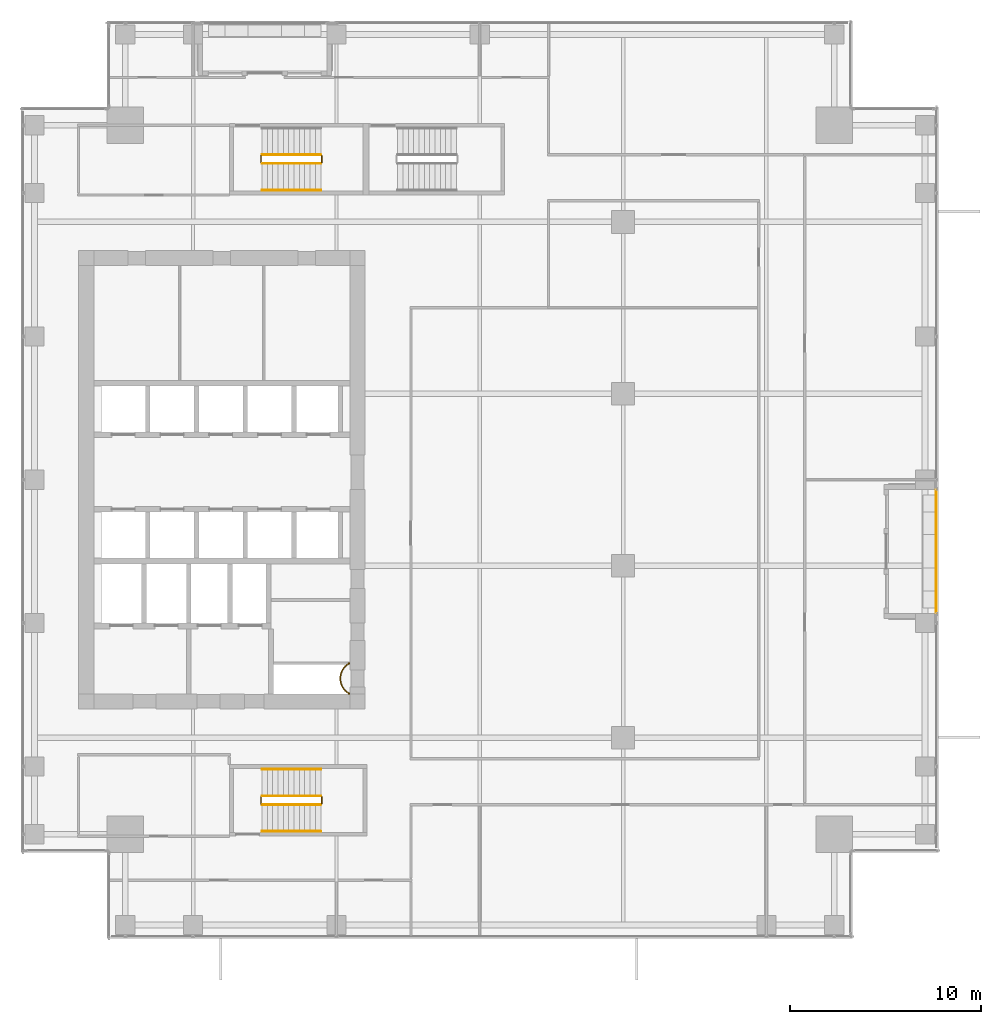
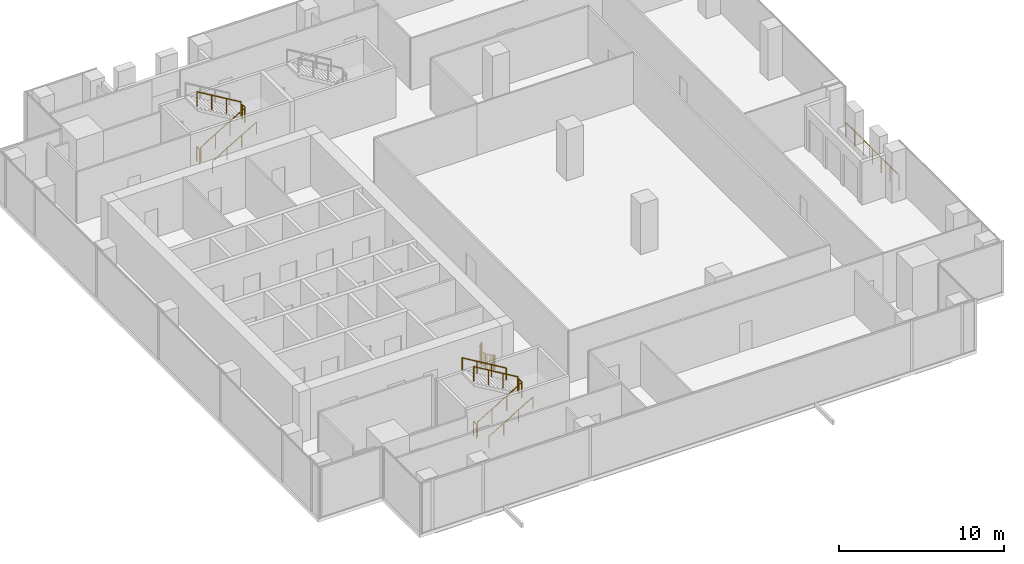
# One storey, part 38 of 40: 13 railings.
"""IFC4 building model written with IfcOpenShell, lengths in metres."""

from ifc_helpers import new_model, si_unit, direction, frame, origin, origin_2d, place, context, subcontext, project, spatial, circle, extrude, source, transform, mapped, material, type_object, element, save


model = new_model("IFC4")

# Units and contexts
model_context = context("Model", 3, precision=1e-05, world=origin(), true_north=direction((0.0, 1.0)))
body_context = subcontext(model_context, "Body", "Model", "MODEL_VIEW")
ifc_project = project(units=[si_unit("LENGTHUNIT", "METRE"), si_unit("AREAUNIT", "SQUARE_METRE"), si_unit("VOLUMEUNIT", "CUBIC_METRE"), si_unit("PLANEANGLEUNIT", "RADIAN"), si_unit("MASSUNIT", "GRAM", prefix="KILO")], contexts=[model_context])

# Site, building, storey
site_placement = place(None, origin())
site = spatial("IfcSite", under=ifc_project, at=site_placement, CompositionType="ELEMENT")
building_placement = place(site_placement, origin())
building = spatial("IfcBuilding", under=site, at=building_placement, Name="Khomas Fold Tower", CompositionType="ELEMENT")
storey_placement = place(building_placement, frame((0.0, 0.0, 204.699951171875)))
storey = spatial("IfcBuildingStorey", under=building, at=storey_placement, Name="L45", CompositionType="ELEMENT", Elevation=204.699951171875)

# Railings
ifc_material_1 = material(Name="Powder-coated steel", Category="steel")
railing_type_1 = type_object("IfcRailingType", Name="Balcony guard", PredefinedType="GUARDRAIL", material=ifc_material_1)
shared_shape_1 = source(origin(), body_context, "Body", "SweptSolid", [
    extrude(circle(Radius=0.02490234375, at=origin_2d()), frame((0.0, 0.0, 1.125), z_axis=(0.0, 1.0, 0.0), x_axis=(-1.0, 0.0, 0.0)), (0.0, 0.0, 1.0), 6.43994140625),
    extrude(circle(Radius=0.02001953125, at=origin_2d()), origin(), (0.0, 0.0, 1.0), 1.099853515625),
    extrude(circle(Radius=0.02001953125, at=origin_2d()), frame((0.0, 1.0732421875, 0.0)), (0.0, 0.0, 1.0), 1.099853515625),
    extrude(circle(Radius=0.02001953125, at=origin_2d()), frame((0.0, 2.146728515625, 0.0)), (0.0, 0.0, 1.0), 1.099853515625),
    extrude(circle(Radius=0.02001953125, at=origin_2d()), frame((0.0, 3.219970703125, 0.0)), (0.0, 0.0, 1.0), 1.099853515625),
    extrude(circle(Radius=0.02001953125, at=origin_2d()), frame((0.0, 4.293212890625, 0.0)), (0.0, 0.0, 1.0), 1.099853515625),
    extrude(circle(Radius=0.02001953125, at=origin_2d()), frame((0.0, 5.36669921875, 0.0)), (0.0, 0.0, 1.0), 1.099853515625),
    extrude(circle(Radius=0.02001953125, at=origin_2d()), frame((0.0, 6.43994140625, 0.0)), (0.0, 0.0, 1.0), 1.099853515625),
])
railing_1_placement = place(storey_placement, frame((50.89990234375, 20.030029296875, -0.044921875)))
element("IfcRailing", 1, at=railing_1_placement, inside=storey, type_object=railing_type_1, Name="Balcony guard BAL-L45-E2", PredefinedType="GUARDRAIL", context=body_context, shape_type="MappedRepresentation", body=[
    mapped(shared_shape_1, transform((0.0, 0.0, 0.0))),
])
ifc_material_2 = material(Name="Steel balustrade", Category="steel")
railing_type_2 = type_object("IfcRailingType", Name="Stair guard", PredefinedType="GUARDRAIL", material=ifc_material_2)
shared_shape_2 = source(origin(), body_context, "Body", "SweptSolid", [
    extrude(circle(Radius=0.02392578125, at=origin_2d()), frame((0.0, 0.0, 1.076171875), z_axis=(0.0, 1.0, 0.0), x_axis=(-1.0, 0.0, 0.0)), (0.0, 0.0, 1.0), 0.349853515625),
    extrude(circle(Radius=0.02099609375, at=origin_2d()), origin(), (0.0, 0.0, 1.0), 1.052001953125),
    extrude(circle(Radius=0.02099609375, at=origin_2d()), frame((0.0, 0.349853515625, 0.0)), (0.0, 0.0, 1.0), 1.052001953125),
])
for number, where, name in (
    (2, (18.72998046875, 43.60009765625, 2.0), "L45 ST1 stair guard 2"),
    (3, (15.550048828125, 43.60009765625, 0.0), "L45 ST1 stair guard 4"),
    (4, (18.72998046875, 10.050048828125, 2.0), "L45 ST2 stair guard 2"),
    (5, (15.550048828125, 10.050048828125, 0.0), "L45 ST2 stair guard 4"),
):
    element("IfcRailing", number, at=place(storey_placement, frame(where)), inside=storey, type_object=railing_type_2, Name=name, PredefinedType="GUARDRAIL", context=body_context, shape_type="MappedRepresentation", body=[
        mapped(shared_shape_2, transform((0.0, 0.0, 0.0))),
    ])
shared_shape_3 = source(origin(), body_context, "Body", "SweptSolid", [
    extrude(circle(Radius=0.02392578125, at=origin_2d()), frame((0.0, 0.0, 1.076171875), z_axis=(0.859290745958, 0.0, 0.51148745235), x_axis=(0.0, 1.0, 0.0)), (0.0, 0.0, 1.0), 3.584228515625),
    extrude(circle(Radius=0.02099609375, at=origin_2d()), origin(), (0.0, 0.0, 1.0), 1.052001953125),
    extrude(circle(Radius=0.02099609375, at=origin_2d()), frame((1.026611328125, 0.0, 0.611083984375)), (0.0, 0.0, 1.0), 1.052001953125),
    extrude(circle(Radius=0.02099609375, at=origin_2d()), frame((2.05322265625, 0.0, 1.22216796875)), (0.0, 0.0, 1.0), 1.052001953125),
    extrude(circle(Radius=0.02099609375, at=origin_2d()), frame((3.079833984375, 0.0, 1.833251953125)), (0.0, 0.0, 1.0), 1.052001953125),
])
for number, where, name in (
    (6, (15.60009765625, 43.550048828125, 0.166748046875), "L45 ST1 stair guard 1"),
    (7, (15.60009765625, 10.0, 0.166748046875), "L45 ST2 stair guard 1"),
):
    element("IfcRailing", number, at=place(storey_placement, frame(where)), inside=storey, type_object=railing_type_2, Name=name, PredefinedType="GUARDRAIL", context=body_context, shape_type="MappedRepresentation", body=[
        mapped(shared_shape_3, transform((0.0, 0.0, 0.0))),
    ])
shared_shape_4 = source(origin(), body_context, "Body", "SweptSolid", [
    extrude(circle(Radius=0.02392578125, at=origin_2d()), frame((0.0, 0.0, 1.076171875), z_axis=(-0.859290745958, 0.0, 0.51148745235), x_axis=(0.0, -1.0, 0.0)), (0.0, 0.0, 1.0), 3.584228515625),
    extrude(circle(Radius=0.02099609375, at=origin_2d()), origin(), (0.0, 0.0, 1.0), 1.052001953125),
    extrude(circle(Radius=0.02099609375, at=origin_2d()), frame((-1.026611328125, 0.0, 0.611083984375)), (0.0, 0.0, 1.0), 1.052001953125),
    extrude(circle(Radius=0.02099609375, at=origin_2d()), frame((-2.05322265625, 0.0, 1.22216796875)), (0.0, 0.0, 1.0), 1.052001953125),
    extrude(circle(Radius=0.02099609375, at=origin_2d()), frame((-3.079833984375, 0.0, 1.833251953125)), (0.0, 0.0, 1.0), 1.052001953125),
])
for number, where, name in (
    (8, (18.679931640625, 44.0, 2.166748046875), "L45 ST1 stair guard 3"),
    (9, (18.679931640625, 10.449951171875, 2.166748046875), "L45 ST2 stair guard 3"),
):
    element("IfcRailing", number, at=place(storey_placement, frame(where)), inside=storey, type_object=railing_type_2, Name=name, PredefinedType="GUARDRAIL", context=body_context, shape_type="MappedRepresentation", body=[
        mapped(shared_shape_4, transform((0.0, 0.0, 0.0))),
    ])
ifc_material_3 = material(Name="Steel handrail", Category="steel")
railing_type_3 = type_object("IfcRailingType", Name="Stair handrail", PredefinedType="HANDRAIL", material=ifc_material_3)
shared_shape_5 = source(origin(), body_context, "Body", "SweptSolid", [
    extrude(circle(Radius=0.02392578125, at=origin_2d()), frame((0.0, 0.0, 0.8759765625), z_axis=(0.859290745958, 0.0, 0.51148745235), x_axis=(0.0, 1.0, 0.0)), (0.0, 0.0, 1.0), 3.584228515625),
    extrude(circle(Radius=0.02099609375, at=origin_2d()), origin(), (0.0, 0.0, 1.0), 0.851806640625),
    extrude(circle(Radius=0.02099609375, at=origin_2d()), frame((1.026611328125, 0.0, 0.611083984375)), (0.0, 0.0, 1.0), 0.851806640625),
    extrude(circle(Radius=0.02099609375, at=origin_2d()), frame((2.05322265625, 0.0, 1.22216796875)), (0.0, 0.0, 1.0), 0.851806640625),
    extrude(circle(Radius=0.02099609375, at=origin_2d()), frame((3.079833984375, 0.0, 1.833251953125)), (0.0, 0.0, 1.0), 0.851806640625),
])
for number, where, name in (
    (10, (15.60009765625, 42.14990234375, 0.166748046875), "L45 ST1 stair handrail 1"),
    (11, (15.60009765625, 8.60009765625, 0.166748046875), "L45 ST2 stair handrail 1"),
):
    element("IfcRailing", number, at=place(storey_placement, frame(where)), inside=storey, type_object=railing_type_3, Name=name, PredefinedType="HANDRAIL", context=body_context, shape_type="MappedRepresentation", body=[
        mapped(shared_shape_5, transform((0.0, 0.0, 0.0))),
    ])
shared_shape_6 = source(origin(), body_context, "Body", "SweptSolid", [
    extrude(circle(Radius=0.02392578125, at=origin_2d()), frame((0.0, 0.0, 0.8759765625), z_axis=(-0.859290745958, 0.0, 0.51148745235), x_axis=(0.0, -1.0, 0.0)), (0.0, 0.0, 1.0), 3.584228515625),
    extrude(circle(Radius=0.02099609375, at=origin_2d()), origin(), (0.0, 0.0, 1.0), 0.851806640625),
    extrude(circle(Radius=0.02099609375, at=origin_2d()), frame((-1.026611328125, 0.0, 0.611083984375)), (0.0, 0.0, 1.0), 0.851806640625),
    extrude(circle(Radius=0.02099609375, at=origin_2d()), frame((-2.05322265625, 0.0, 1.22216796875)), (0.0, 0.0, 1.0), 0.851806640625),
    extrude(circle(Radius=0.02099609375, at=origin_2d()), frame((-3.079833984375, 0.0, 1.833251953125)), (0.0, 0.0, 1.0), 0.851806640625),
])
railing_2_placement = place(storey_placement, frame((18.679931640625, 11.85009765625, 2.166748046875)))
element("IfcRailing", 12, at=railing_2_placement, inside=storey, type_object=railing_type_3, Name="L45 ST2 stair handrail 2", PredefinedType="HANDRAIL", context=body_context, shape_type="MappedRepresentation", body=[
    mapped(shared_shape_6, transform((0.0, 0.0, 0.0))),
])
ifc_material_4 = material(Name="Steel balustrade", Category="steel")
railing_type_4 = type_object("IfcRailingType", Name="Shaft guard", PredefinedType="GUARDRAIL", material=ifc_material_4)
shared_shape_7 = source(origin(), body_context, "Body", "SweptSolid", [
    extrude(circle(Radius=0.02490234375, at=origin_2d()), frame((0.0, 0.0, 1.0751953125), z_axis=(1.0, 0.0, 0.0), x_axis=(0.0, 1.0, 0.0)), (0.0, 0.0, 1.0), 0.06103515625),
    extrude(circle(Radius=0.02490234375, at=origin_2d()), frame((0.06103515625, 0.0, 1.0751953125), z_axis=(-0.90746690712, -0.420123568111, 0.0), x_axis=(0.420123568111, -0.90746690712, 0.0)), (0.0, 0.0, 1.0), 0.0146484375),
    extrude(circle(Radius=0.02490234375, at=origin_2d()), frame((0.0478515625, -0.006103515625, 1.0751953125), z_axis=(-0.857492925713, -0.514495755428, 0.0), x_axis=(0.514495755428, -0.857492925713, 0.0)), (0.0, 0.0, 1.0), 0.08837890625),
    extrude(circle(Radius=0.02490234375, at=origin_2d()), frame((-0.02783203125, -0.051513671875, 1.0751953125), z_axis=(-0.802970227885, -0.596019138224, 0.0), x_axis=(0.596019138224, -0.802970227885, 0.0)), (0.0, 0.0, 1.0), 0.08837890625),
    extrude(circle(Radius=0.02490234375, at=origin_2d()), frame((-0.098876953125, -0.104248046875, 1.0751953125), z_axis=(-0.740814996175, -0.671709119666, 0.0), x_axis=(0.671709119666, -0.740814996175, 0.0)), (0.0, 0.0, 1.0), 0.08837890625),
    extrude(circle(Radius=0.02490234375, at=origin_2d()), frame((-0.164306640625, -0.16357421875, 1.0751953125), z_axis=(-0.671709119666, -0.740814996175, 0.0), x_axis=(0.740814996175, -0.671709119666, 0.0)), (0.0, 0.0, 1.0), 0.08837890625),
    extrude(circle(Radius=0.02490234375, at=origin_2d()), frame((-0.2236328125, -0.22900390625, 1.0751953125), z_axis=(-0.595558727233, -0.803311771616, 0.0), x_axis=(0.803311771616, -0.595558727233, 0.0)), (0.0, 0.0, 1.0), 0.088134765625),
    extrude(circle(Radius=0.02490234375, at=origin_2d()), frame((-0.276123046875, -0.2998046875, 1.0751953125), z_axis=(-0.514495755428, -0.857492925713, 0.0), x_axis=(0.857492925713, -0.514495755428, 0.0)), (0.0, 0.0, 1.0), 0.08837890625),
    extrude(circle(Radius=0.02490234375, at=origin_2d()), frame((-0.321533203125, -0.37548828125, 1.0751953125), z_axis=(-0.427256721383, -0.904130352346, 0.0), x_axis=(0.904130352346, -0.427256721383, 0.0)), (0.0, 0.0, 1.0), 0.088623046875),
    extrude(circle(Radius=0.02490234375, at=origin_2d()), frame((-0.359375, -0.45556640625, 1.0751953125), z_axis=(-0.337738989679, -0.941239807302, 0.0), x_axis=(0.941239807302, -0.337738989679, 0.0)), (0.0, 0.0, 1.0), 0.088134765625),
    extrude(circle(Radius=0.02490234375, at=origin_2d()), frame((-0.38916015625, -0.53857421875, 1.0751953125), z_axis=(-0.243185799972, -0.969979724887, 0.0), x_axis=(0.969979724887, -0.243185799972, 0.0)), (0.0, 0.0, 1.0), 0.08837890625),
    extrude(circle(Radius=0.02490234375, at=origin_2d()), frame((-0.41064453125, -0.624267578125, 1.0751953125), z_axis=(-0.146448518259, -0.989218293148, 0.0), x_axis=(0.989218293148, -0.146448518259, 0.0)), (0.0, 0.0, 1.0), 0.08837890625),
    extrude(circle(Radius=0.02490234375, at=origin_2d()), frame((-0.423583984375, -0.711669921875, 1.0751953125), z_axis=(-0.049799629132, -0.998759228712, 0.0), x_axis=(0.998759228712, -0.049799629132, 0.0)), (0.0, 0.0, 1.0), 0.088134765625),
    extrude(circle(Radius=0.02490234375, at=origin_2d()), frame((-0.427978515625, -0.7998046875, 1.0751953125), z_axis=(0.049662400856, -0.998766061669, 0.0), x_axis=(0.998766061669, 0.049662400856, 0.0)), (0.0, 0.0, 1.0), 0.08837890625),
    extrude(circle(Radius=0.02490234375, at=origin_2d()), frame((-0.423583984375, -0.88818359375, 1.0751953125), z_axis=(0.146448518259, -0.989218293148, 0.0), x_axis=(0.989218293148, 0.146448518259, 0.0)), (0.0, 0.0, 1.0), 0.08837890625),
    extrude(circle(Radius=0.02490234375, at=origin_2d()), frame((-0.41064453125, -0.9755859375, 1.0751953125), z_axis=(0.243185799972, -0.969979724887, 0.0), x_axis=(0.969979724887, 0.243185799972, 0.0)), (0.0, 0.0, 1.0), 0.08837890625),
    extrude(circle(Radius=0.02490234375, at=origin_2d()), frame((-0.38916015625, -1.061279296875, 1.0751953125), z_axis=(0.337738989679, -0.941239807302, 0.0), x_axis=(0.941239807302, 0.337738989679, 0.0)), (0.0, 0.0, 1.0), 0.088134765625),
    extrude(circle(Radius=0.02490234375, at=origin_2d()), frame((-0.359375, -1.144287109375, 1.0751953125), z_axis=(0.428323905606, -0.903625271828, 0.0), x_axis=(0.903625271828, 0.428323905606, 0.0)), (0.0, 0.0, 1.0), 0.08837890625),
    extrude(circle(Radius=0.02490234375, at=origin_2d()), frame((-0.321533203125, -1.22412109375, 1.0751953125), z_axis=(0.514495755428, -0.857492925713, 0.0), x_axis=(0.857492925713, 0.514495755428, 0.0)), (0.0, 0.0, 1.0), 0.08837890625),
    extrude(circle(Radius=0.02490234375, at=origin_2d()), frame((-0.276123046875, -1.2998046875, 1.0751953125), z_axis=(0.594235623595, -0.804291006819, 0.0), x_axis=(0.804291006819, 0.594235623595, 0.0)), (0.0, 0.0, 1.0), 0.08837890625),
    extrude(circle(Radius=0.02490234375, at=origin_2d()), frame((-0.2236328125, -1.370849609375, 1.0751953125), z_axis=(0.671709119666, -0.740814996175, 0.0), x_axis=(0.740814996175, 0.671709119666, 0.0)), (0.0, 0.0, 1.0), 0.08837890625),
    extrude(circle(Radius=0.02490234375, at=origin_2d()), frame((-0.164306640625, -1.436279296875, 1.0751953125), z_axis=(0.740814996175, -0.671709119666, 0.0), x_axis=(0.671709119666, 0.740814996175, 0.0)), (0.0, 0.0, 1.0), 0.08837890625),
    extrude(circle(Radius=0.02490234375, at=origin_2d()), frame((-0.098876953125, -1.49560546875, 1.0751953125), z_axis=(0.804291006819, -0.594235623595, 0.0), x_axis=(0.594235623595, 0.804291006819, 0.0)), (0.0, 0.0, 1.0), 0.08837890625),
    extrude(circle(Radius=0.02490234375, at=origin_2d()), frame((-0.02783203125, -1.548095703125, 1.0751953125), z_axis=(0.857492925713, -0.514495755428, 0.0), x_axis=(0.514495755428, 0.857492925713, 0.0)), (0.0, 0.0, 1.0), 0.08837890625),
    extrude(circle(Radius=0.02490234375, at=origin_2d()), frame((0.0478515625, -1.593505859375, 1.0751953125), z_axis=(0.901001669759, -0.433815618773, 0.0), x_axis=(0.433815618773, 0.901001669759, 0.0)), (0.0, 0.0, 1.0), 0.0146484375),
    extrude(circle(Radius=0.02490234375, at=origin_2d()), frame((0.06103515625, -1.599853515625, 1.0751953125), z_axis=(-1.0, 0.0, 0.0), x_axis=(0.0, -1.0, 0.0)), (0.0, 0.0, 1.0), 0.06103515625),
    extrude(circle(Radius=0.02001953125, at=origin_2d()), origin(), (0.0, 0.0, 1.0), 1.050048828125),
    extrude(circle(Radius=0.02001953125, at=origin_2d()), frame((0.06103515625, 0.0, 0.0)), (0.0, 0.0, 1.0), 1.050048828125),
    extrude(circle(Radius=0.02001953125, at=origin_2d()), frame((0.0478515625, -0.006103515625, 0.0)), (0.0, 0.0, 1.0), 1.050048828125),
    extrude(circle(Radius=0.02001953125, at=origin_2d()), frame((-0.02783203125, -0.051513671875, 0.0)), (0.0, 0.0, 1.0), 1.050048828125),
    extrude(circle(Radius=0.02001953125, at=origin_2d()), frame((-0.098876953125, -0.104248046875, 0.0)), (0.0, 0.0, 1.0), 1.050048828125),
    extrude(circle(Radius=0.02001953125, at=origin_2d()), frame((-0.164306640625, -0.16357421875, 0.0)), (0.0, 0.0, 1.0), 1.050048828125),
    extrude(circle(Radius=0.02001953125, at=origin_2d()), frame((-0.2236328125, -0.22900390625, 0.0)), (0.0, 0.0, 1.0), 1.050048828125),
    extrude(circle(Radius=0.02001953125, at=origin_2d()), frame((-0.276123046875, -0.2998046875, 0.0)), (0.0, 0.0, 1.0), 1.050048828125),
    extrude(circle(Radius=0.02001953125, at=origin_2d()), frame((-0.321533203125, -0.37548828125, 0.0)), (0.0, 0.0, 1.0), 1.050048828125),
    extrude(circle(Radius=0.02001953125, at=origin_2d()), frame((-0.359375, -0.45556640625, 0.0)), (0.0, 0.0, 1.0), 1.050048828125),
    extrude(circle(Radius=0.02001953125, at=origin_2d()), frame((-0.38916015625, -0.53857421875, 0.0)), (0.0, 0.0, 1.0), 1.050048828125),
    extrude(circle(Radius=0.02001953125, at=origin_2d()), frame((-0.41064453125, -0.624267578125, 0.0)), (0.0, 0.0, 1.0), 1.050048828125),
    extrude(circle(Radius=0.02001953125, at=origin_2d()), frame((-0.423583984375, -0.711669921875, 0.0)), (0.0, 0.0, 1.0), 1.050048828125),
    extrude(circle(Radius=0.02001953125, at=origin_2d()), frame((-0.427978515625, -0.7998046875, 0.0)), (0.0, 0.0, 1.0), 1.050048828125),
    extrude(circle(Radius=0.02001953125, at=origin_2d()), frame((-0.423583984375, -0.88818359375, 0.0)), (0.0, 0.0, 1.0), 1.050048828125),
    extrude(circle(Radius=0.02001953125, at=origin_2d()), frame((-0.41064453125, -0.9755859375, 0.0)), (0.0, 0.0, 1.0), 1.050048828125),
    extrude(circle(Radius=0.02001953125, at=origin_2d()), frame((-0.38916015625, -1.061279296875, 0.0)), (0.0, 0.0, 1.0), 1.050048828125),
    extrude(circle(Radius=0.02001953125, at=origin_2d()), frame((-0.359375, -1.144287109375, 0.0)), (0.0, 0.0, 1.0), 1.050048828125),
    extrude(circle(Radius=0.02001953125, at=origin_2d()), frame((-0.321533203125, -1.22412109375, 0.0)), (0.0, 0.0, 1.0), 1.050048828125),
    extrude(circle(Radius=0.02001953125, at=origin_2d()), frame((-0.276123046875, -1.2998046875, 0.0)), (0.0, 0.0, 1.0), 1.050048828125),
    extrude(circle(Radius=0.02001953125, at=origin_2d()), frame((-0.2236328125, -1.370849609375, 0.0)), (0.0, 0.0, 1.0), 1.050048828125),
    extrude(circle(Radius=0.02001953125, at=origin_2d()), frame((-0.164306640625, -1.436279296875, 0.0)), (0.0, 0.0, 1.0), 1.050048828125),
    extrude(circle(Radius=0.02001953125, at=origin_2d()), frame((-0.098876953125, -1.49560546875, 0.0)), (0.0, 0.0, 1.0), 1.050048828125),
    extrude(circle(Radius=0.02001953125, at=origin_2d()), frame((-0.02783203125, -1.548095703125, 0.0)), (0.0, 0.0, 1.0), 1.050048828125),
    extrude(circle(Radius=0.02001953125, at=origin_2d()), frame((0.0478515625, -1.593505859375, 0.0)), (0.0, 0.0, 1.0), 1.050048828125),
    extrude(circle(Radius=0.02001953125, at=origin_2d()), frame((0.06103515625, -1.599853515625, 0.0)), (0.0, 0.0, 1.0), 1.050048828125),
    extrude(circle(Radius=0.02001953125, at=origin_2d()), frame((0.0, -1.599853515625, 0.0)), (0.0, 0.0, 1.0), 1.050048828125),
])
railing_3_placement = place(storey_placement, frame((20.1279296875, 17.39990234375, 0.0)))
element("IfcRailing", 13, at=railing_3_placement, inside=storey, type_object=railing_type_4, Name="Shaft guard L45 1", PredefinedType="GUARDRAIL", context=body_context, shape_type="MappedRepresentation", body=[
    mapped(shared_shape_7, transform((0.0, 0.0, 0.0))),
])

save(model, "model.ifc")
